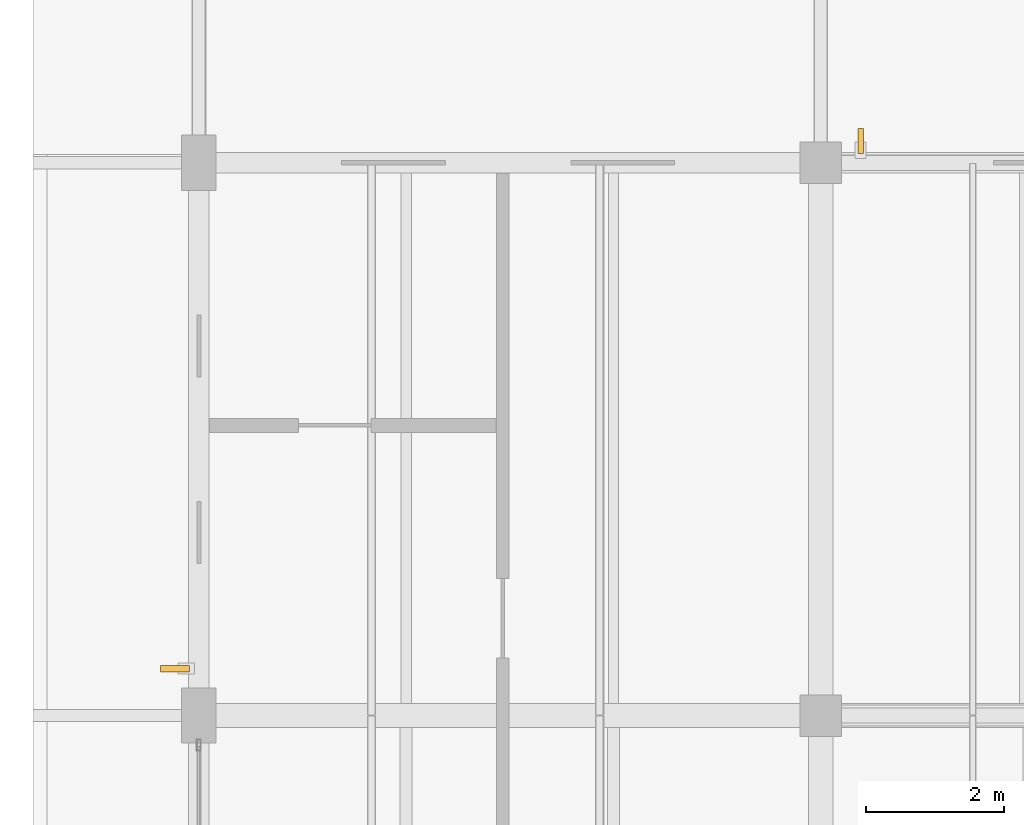
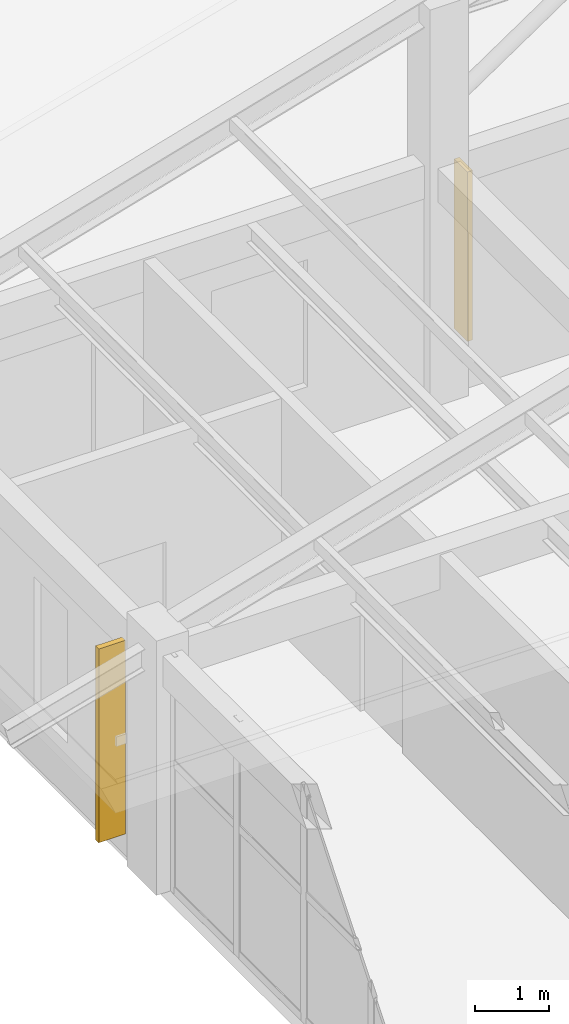
# One storey, part 56 of 58: 2 shading devices.
"""IFC4 building model written with IfcOpenShell, lengths in metres."""

from ifc_helpers import new_model, si_unit, derived_unit, direction, frame, origin, origin_2d, place, context, subcontext, project, spatial, rectangle, extrude, material, type_object, element, save


model = new_model("IFC4")

# Units and contexts
model_context = context("Model", 3, precision=1e-05, world=origin(), true_north=direction((0.0, 1.0)))
body_context = subcontext(model_context, "Body", "Model", "MODEL_VIEW")
ifc_project = project(units=[si_unit("LENGTHUNIT", "METRE"), si_unit("AREAUNIT", "SQUARE_METRE"), si_unit("VOLUMEUNIT", "CUBIC_METRE"), si_unit("PLANEANGLEUNIT", "RADIAN"), si_unit("MASSUNIT", "GRAM", prefix="KILO"), derived_unit("THERMALTRANSMITTANCEUNIT", [(si_unit("MASSUNIT", "GRAM", prefix="KILO"), 1), (si_unit("TIMEUNIT", "SECOND"), -3), (si_unit("THERMODYNAMICTEMPERATUREUNIT", "KELVIN"), -1)])], contexts=[model_context])

# Site, building, storey
site_placement = place(None, origin())
site = spatial("IfcSite", under=ifc_project, at=site_placement, CompositionType="ELEMENT")
building_placement = place(site_placement, origin())
building = spatial("IfcBuilding", under=site, at=building_placement, Name="Zhenchuan Archway Interchange", CompositionType="ELEMENT")
storey_placement = place(building_placement, frame((0.0, 0.0, 22.800048828125)))
storey = spatial("IfcBuildingStorey", under=building, at=storey_placement, Name="L05", CompositionType="ELEMENT", Elevation=22.800048828125)

# Shading devices
ifc_material = material(Name="Terracotta Ceramic", Category="masonry")
shading_device_type_1 = type_object("IfcShadingDeviceType", Name="SHD_FIN_1", PredefinedType="USERDEFINED", material=ifc_material)
shading_device_1_placement = place(storey_placement, frame((143.656005859375, 80.677978515625, 0.35009765625), z_axis=(0.0, 0.0, 1.0), x_axis=(0.0, 1.0, 0.0)))
element("IfcShadingDevice", 1, at=shading_device_1_placement, inside=storey, type_object=shading_device_type_1, Name="Terracotta vertical solar fin L05-144", ObjectType="FINS", PredefinedType="USERDEFINED", context=body_context, shape_type="SweptSolid", body=[
    extrude(rectangle(XDim=0.090087890625, YDim=0.419921875, at=origin_2d()), origin(), (0.0, 0.0, 1.0), 3.199951171875),
])
shading_device_type_2 = type_object("IfcShadingDeviceType", Name="SHD_FIN_2", PredefinedType="USERDEFINED", material=ifc_material)
shading_device_2_placement = place(storey_placement, frame((153.577880859375, 88.31396484375, 0.5498046875), z_axis=(0.0, 0.0, 1.0), x_axis=(1.0, 0.0, 0.0)))
element("IfcShadingDevice", 2, at=shading_device_2_placement, inside=storey, type_object=shading_device_type_2, Name="Terracotta vertical solar fin L05-145", ObjectType="FINS", PredefinedType="USERDEFINED", context=body_context, shape_type="SweptSolid", body=[
    extrude(rectangle(XDim=0.080078125, YDim=0.360107421875, at=origin_2d()), origin(), (0.0, 0.0, 1.0), 2.800048828125),
])

save(model, "model.ifc")
